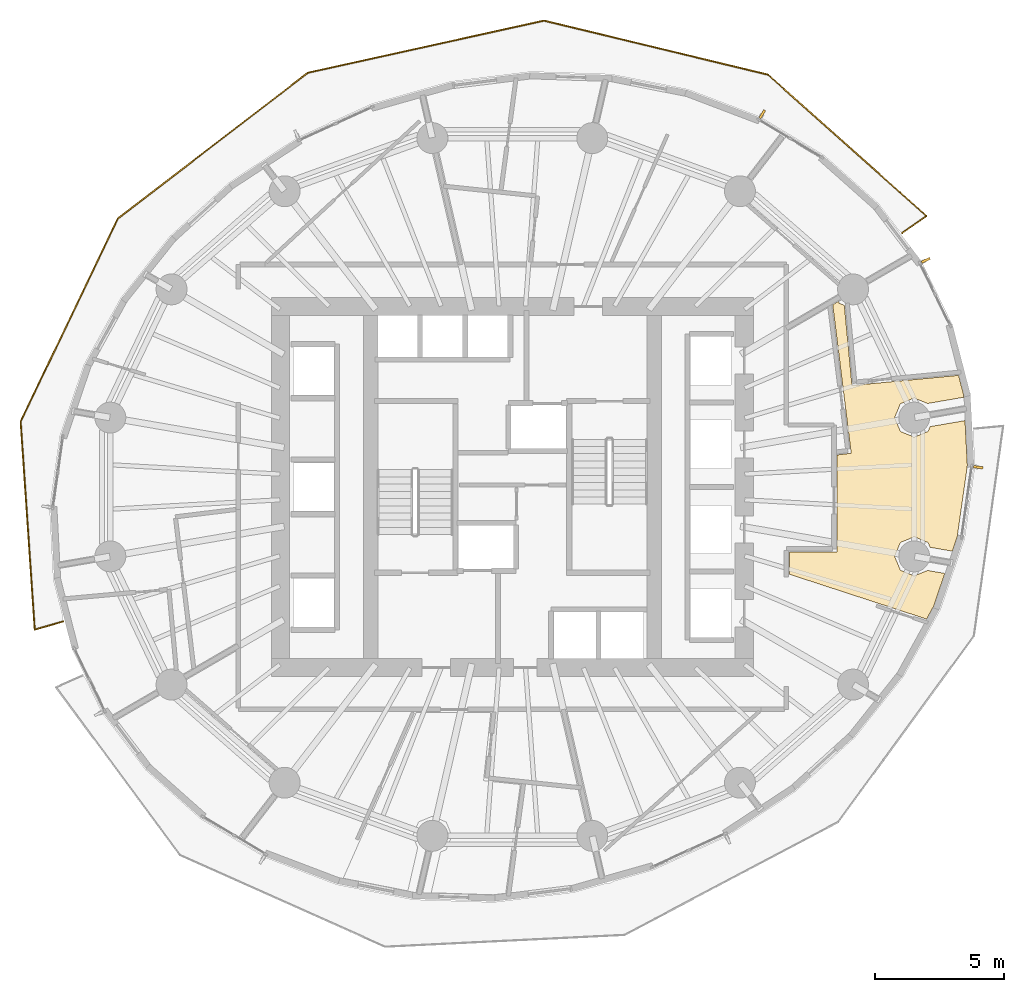
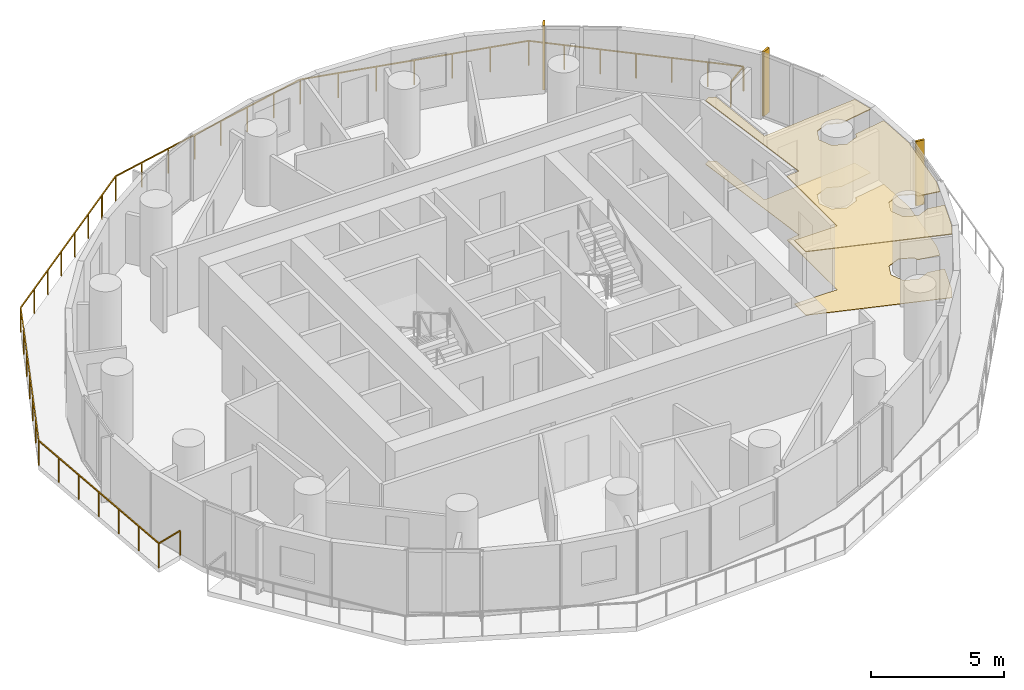
# One storey, part 14 of 14: 3 shading devices, 2 coverings, 1 railing.
"""IFC4 building model written with IfcOpenShell, lengths in metres."""

from ifc_helpers import new_model, si_unit, direction, frame, origin, origin_2d, place, context, subcontext, project, spatial, polyline, rectangle, outline, extrude, material, layer, layer_set, type_object, element, save


model = new_model("IFC4")

# Units and contexts
model_context = context("Model", 3, precision=1e-05, world=origin(), true_north=direction((0.0, 1.0)))
body_context = subcontext(model_context, "Body", "Model", "MODEL_VIEW")
ifc_project = project(units=[si_unit("LENGTHUNIT", "METRE"), si_unit("AREAUNIT", "SQUARE_METRE"), si_unit("VOLUMEUNIT", "CUBIC_METRE"), si_unit("PLANEANGLEUNIT", "RADIAN"), si_unit("MASSUNIT", "GRAM", prefix="KILO")], contexts=[model_context])

# Site, building, storey
site_placement = place(None, origin())
site = spatial("IfcSite", under=ifc_project, at=site_placement, CompositionType="ELEMENT")
building_placement = place(site_placement, origin())
building = spatial("IfcBuilding", under=site, at=building_placement, Name="Veldorim Arch Residences", CompositionType="ELEMENT")
storey_placement = place(building_placement, frame((0.0, 0.0, 83.679931640625)))
storey = spatial("IfcBuildingStorey", under=building, at=storey_placement, Name="L24", CompositionType="ELEMENT", Elevation=83.679931640625)

# Railing
ifc_material_1 = material(Name="Aluminium", Category="aluminium")
railing_type = type_object("IfcRailingType", Name="Balcony & Terrace Laminated Glass Balustrade 1150", PredefinedType="BALUSTRADE", material=ifc_material_1)
railing_placement = place(storey_placement, frame((47.1259765625, 33.854736328125, 0.0)))
element("IfcRailing", 1, at=railing_placement, inside=storey, type_object=railing_type, Name="L24 crescent balcony safety balustrade A", PredefinedType="BALUSTRADE", context=body_context, shape_type="SweptSolid", body=[
    extrude(rectangle(XDim=0.048095703125, YDim=0.048095703125, at=origin_2d()), frame((0.0, 0.0, 1.1259765625), z_axis=(0.819431336114, 0.573177359458, 0.0), x_axis=(-0.573177359458, 0.819431336114, 0.0)), (0.0, 0.0, 1.0), 1.150146484375),
    extrude(rectangle(XDim=0.048095703125, YDim=0.048095703125, at=origin_2d()), frame((0.9423828125, 0.6591796875, 1.1259765625), z_axis=(-0.746214671187, 0.665705388671, 0.0), x_axis=(-0.665705388671, -0.746214671187, 0.0)), (0.0, 0.0, 1.0), 8.2392578125),
    extrude(rectangle(XDim=0.048095703125, YDim=0.048095703125, at=origin_2d()), frame((-5.205810546875, 6.14404296875, 1.1259765625), z_axis=(-0.972111417995, 0.234519489601, 0.0), x_axis=(-0.234519489601, -0.972111417995, 0.0)), (0.0, 0.0, 1.0), 8.938232421875),
    extrude(rectangle(XDim=0.048095703125, YDim=0.048095703125, at=origin_2d()), frame((-13.894775390625, 8.240234375, 1.1259765625), z_axis=(-0.976478766181, -0.215613587694, 0.0), x_axis=(0.215613587694, -0.976478766181, 0.0)), (0.0, 0.0, 1.0), 9.384521484375),
    extrude(rectangle(XDim=0.048095703125, YDim=0.048095703125, at=origin_2d()), frame((-23.05859375, 6.216796875, 1.1259765625), z_axis=(-0.793334406414, -0.608786103323, 0.0), x_axis=(0.608786103323, -0.793334406414, 0.0)), (0.0, 0.0, 1.0), 9.29345703125),
    extrude(rectangle(XDim=0.048095703125, YDim=0.048095703125, at=origin_2d()), frame((-30.431396484375, 0.55908203125, 1.1259765625), z_axis=(-0.431794755909, -0.901971889124, 0.0), x_axis=(0.901971889124, -0.431794755909, 0.0)), (0.0, 0.0, 1.0), 8.7333984375),
    extrude(rectangle(XDim=0.048095703125, YDim=0.048095703125, at=origin_2d()), frame((-34.202392578125, -7.318115234375, 1.1259765625), z_axis=(0.067586357353, -0.997713427944, 0.0), x_axis=(0.997713427944, 0.067586357353, 0.0)), (0.0, 0.0, 1.0), 8.091552734375),
    extrude(rectangle(XDim=0.048095703125, YDim=0.048095703125, at=origin_2d()), frame((-33.655517578125, -15.39111328125, 1.1259765625), z_axis=(0.960613489845, 0.277887968664, 0.0), x_axis=(-0.277887968664, 0.960613489845, 0.0)), (0.0, 0.0, 1.0), 1.150146484375),
    extrude(rectangle(XDim=0.0419921875, YDim=0.0419921875, at=origin_2d()), origin(), (0.0, 0.0, 1.0), 1.101806640625),
    extrude(rectangle(XDim=0.0419921875, YDim=0.0419921875, at=origin_2d()), frame((0.9423828125, 0.6591796875, 0.0)), (0.0, 0.0, 1.0), 1.101806640625),
    extrude(rectangle(XDim=0.0419921875, YDim=0.0419921875, at=origin_2d()), frame((-0.082275390625, 1.5732421875, 0.0)), (0.0, 0.0, 1.0), 1.101806640625),
    extrude(rectangle(XDim=0.0419921875, YDim=0.0419921875, at=origin_2d()), frame((-1.10693359375, 2.487548828125, 0.0)), (0.0, 0.0, 1.0), 1.101806640625),
    extrude(rectangle(XDim=0.0419921875, YDim=0.0419921875, at=origin_2d()), frame((-2.1318359375, 3.401611328125, 0.0)), (0.0, 0.0, 1.0), 1.101806640625),
    extrude(rectangle(XDim=0.0419921875, YDim=0.0419921875, at=origin_2d()), frame((-3.156494140625, 4.315673828125, 0.0)), (0.0, 0.0, 1.0), 1.101806640625),
    extrude(rectangle(XDim=0.0419921875, YDim=0.0419921875, at=origin_2d()), frame((-4.18115234375, 5.22998046875, 0.0)), (0.0, 0.0, 1.0), 1.101806640625),
    extrude(rectangle(XDim=0.0419921875, YDim=0.0419921875, at=origin_2d()), frame((-5.205810546875, 6.14404296875, 0.0)), (0.0, 0.0, 1.0), 1.101806640625),
    extrude(rectangle(XDim=0.0419921875, YDim=0.0419921875, at=origin_2d()), frame((-6.654052734375, 6.493408203125, 0.0)), (0.0, 0.0, 1.0), 1.101806640625),
    extrude(rectangle(XDim=0.0419921875, YDim=0.0419921875, at=origin_2d()), frame((-8.10205078125, 6.8427734375, 0.0)), (0.0, 0.0, 1.0), 1.101806640625),
    extrude(rectangle(XDim=0.0419921875, YDim=0.0419921875, at=origin_2d()), frame((-9.55029296875, 7.192138671875, 0.0)), (0.0, 0.0, 1.0), 1.101806640625),
    extrude(rectangle(XDim=0.0419921875, YDim=0.0419921875, at=origin_2d()), frame((-10.99853515625, 7.54150390625, 0.0)), (0.0, 0.0, 1.0), 1.101806640625),
    extrude(rectangle(XDim=0.0419921875, YDim=0.0419921875, at=origin_2d()), frame((-12.446533203125, 7.890869140625, 0.0)), (0.0, 0.0, 1.0), 1.101806640625),
    extrude(rectangle(XDim=0.0419921875, YDim=0.0419921875, at=origin_2d()), frame((-13.894775390625, 8.240234375, 0.0)), (0.0, 0.0, 1.0), 1.101806640625),
    extrude(rectangle(XDim=0.0419921875, YDim=0.0419921875, at=origin_2d()), frame((-15.203857421875, 7.951171875, 0.0)), (0.0, 0.0, 1.0), 1.101806640625),
    extrude(rectangle(XDim=0.0419921875, YDim=0.0419921875, at=origin_2d()), frame((-16.512939453125, 7.662109375, 0.0)), (0.0, 0.0, 1.0), 1.101806640625),
    extrude(rectangle(XDim=0.0419921875, YDim=0.0419921875, at=origin_2d()), frame((-17.822021484375, 7.373046875, 0.0)), (0.0, 0.0, 1.0), 1.101806640625),
    extrude(rectangle(XDim=0.0419921875, YDim=0.0419921875, at=origin_2d()), frame((-19.13134765625, 7.083984375, 0.0)), (0.0, 0.0, 1.0), 1.101806640625),
    extrude(rectangle(XDim=0.0419921875, YDim=0.0419921875, at=origin_2d()), frame((-20.4404296875, 6.794921875, 0.0)), (0.0, 0.0, 1.0), 1.101806640625),
    extrude(rectangle(XDim=0.0419921875, YDim=0.0419921875, at=origin_2d()), frame((-21.74951171875, 6.505859375, 0.0)), (0.0, 0.0, 1.0), 1.101806640625),
    extrude(rectangle(XDim=0.0419921875, YDim=0.0419921875, at=origin_2d()), frame((-23.05859375, 6.216796875, 0.0)), (0.0, 0.0, 1.0), 1.101806640625),
    extrude(rectangle(XDim=0.0419921875, YDim=0.0419921875, at=origin_2d()), frame((-24.11181640625, 5.408447265625, 0.0)), (0.0, 0.0, 1.0), 1.101806640625),
    extrude(rectangle(XDim=0.0419921875, YDim=0.0419921875, at=origin_2d()), frame((-25.1650390625, 4.600341796875, 0.0)), (0.0, 0.0, 1.0), 1.101806640625),
    extrude(rectangle(XDim=0.0419921875, YDim=0.0419921875, at=origin_2d()), frame((-26.21826171875, 3.7919921875, 0.0)), (0.0, 0.0, 1.0), 1.101806640625),
    extrude(rectangle(XDim=0.0419921875, YDim=0.0419921875, at=origin_2d()), frame((-27.271728515625, 2.98388671875, 0.0)), (0.0, 0.0, 1.0), 1.101806640625),
    extrude(rectangle(XDim=0.0419921875, YDim=0.0419921875, at=origin_2d()), frame((-28.324951171875, 2.175537109375, 0.0)), (0.0, 0.0, 1.0), 1.101806640625),
    extrude(rectangle(XDim=0.0419921875, YDim=0.0419921875, at=origin_2d()), frame((-29.378173828125, 1.367431640625, 0.0)), (0.0, 0.0, 1.0), 1.101806640625),
    extrude(rectangle(XDim=0.0419921875, YDim=0.0419921875, at=origin_2d()), frame((-30.431396484375, 0.55908203125, 0.0)), (0.0, 0.0, 1.0), 1.101806640625),
    extrude(rectangle(XDim=0.0419921875, YDim=0.0419921875, at=origin_2d()), frame((-31.059814453125, -0.75390625, 0.0)), (0.0, 0.0, 1.0), 1.101806640625),
    extrude(rectangle(XDim=0.0419921875, YDim=0.0419921875, at=origin_2d()), frame((-31.6884765625, -2.066650390625, 0.0)), (0.0, 0.0, 1.0), 1.101806640625),
    extrude(rectangle(XDim=0.0419921875, YDim=0.0419921875, at=origin_2d()), frame((-32.31689453125, -3.37939453125, 0.0)), (0.0, 0.0, 1.0), 1.101806640625),
    extrude(rectangle(XDim=0.0419921875, YDim=0.0419921875, at=origin_2d()), frame((-32.9453125, -4.6923828125, 0.0)), (0.0, 0.0, 1.0), 1.101806640625),
    extrude(rectangle(XDim=0.0419921875, YDim=0.0419921875, at=origin_2d()), frame((-33.573974609375, -6.00537109375, 0.0)), (0.0, 0.0, 1.0), 1.101806640625),
    extrude(rectangle(XDim=0.0419921875, YDim=0.0419921875, at=origin_2d()), frame((-34.202392578125, -7.318115234375, 0.0)), (0.0, 0.0, 1.0), 1.101806640625),
    extrude(rectangle(XDim=0.0419921875, YDim=0.0419921875, at=origin_2d()), frame((-34.111328125, -8.66357421875, 0.0)), (0.0, 0.0, 1.0), 1.101806640625),
    extrude(rectangle(XDim=0.0419921875, YDim=0.0419921875, at=origin_2d()), frame((-34.02001953125, -10.009033203125, 0.0)), (0.0, 0.0, 1.0), 1.101806640625),
    extrude(rectangle(XDim=0.0419921875, YDim=0.0419921875, at=origin_2d()), frame((-33.928955078125, -11.3544921875, 0.0)), (0.0, 0.0, 1.0), 1.101806640625),
    extrude(rectangle(XDim=0.0419921875, YDim=0.0419921875, at=origin_2d()), frame((-33.837890625, -12.7001953125, 0.0)), (0.0, 0.0, 1.0), 1.101806640625),
    extrude(rectangle(XDim=0.0419921875, YDim=0.0419921875, at=origin_2d()), frame((-33.74658203125, -14.045654296875, 0.0)), (0.0, 0.0, 1.0), 1.101806640625),
    extrude(rectangle(XDim=0.0419921875, YDim=0.0419921875, at=origin_2d()), frame((-33.655517578125, -15.39111328125, 0.0)), (0.0, 0.0, 1.0), 1.101806640625),
    extrude(rectangle(XDim=0.0419921875, YDim=0.0419921875, at=origin_2d()), frame((-32.55078125, -15.071533203125, 0.0)), (0.0, 0.0, 1.0), 1.101806640625),
])

# Coverings
ifc_material_2 = material(Name="Acoustic Gypsum & Mineral Fibre", Category="gypsum")
ifc_layer_1 = layer(ifc_material_2, 0.034912109375, Name="Perforated Acoustic Mineral-Fibre Ceiling 35")
ifc_layer_set_1 = layer_set([ifc_layer_1], Name="Acoustic Gypsum & Mineral Fibre")
covering_type_1 = type_object("IfcCoveringType", Name="Perforated Acoustic Mineral-Fibre Ceiling 35", PredefinedType="CEILING", material=ifc_layer_set_1)
covering_1_placement = place(storey_placement, frame((0.0, 0.0, 2.905029296875)))
element("IfcCovering", 2, at=covering_1_placement, inside=storey, type_object=covering_type_1, Name="L24 acoustic suspended ceiling 02", PredefinedType="CEILING", context=body_context, shape_type="SweptSolid", body=[
    extrude(outline(polyline([(47.594482421875, 25.932373046875), (48.1318359375, 26.15478515625), (48.209228515625, 26.341796875), (49.564453125, 26.57568359375), (49.656005859375, 24.8330078125), (49.2646484375, 22.07666015625), (49.072265625, 21.50927734375), (48.209228515625, 21.658203125), (48.1318359375, 21.84521484375), (47.594482421875, 22.067626953125), (47.05712890625, 21.84521484375), (46.834716796875, 21.307861328125), (47.05712890625, 20.7705078125), (47.594482421875, 20.5478515625), (48.111083984375, 20.761962890625), (48.77978515625, 20.646484375), (48.34912109375, 19.37646484375), (48.07275390625, 18.875244140625), (42.75, 20.6142578125), (42.75, 21.47998046875), (44.60009765625, 21.47998046875), (44.60009765625, 25.239990234375), (45.151123046875, 25.308837890625), (44.431396484375, 31.070556640625), (44.654052734375, 31.19970703125), (44.68310546875, 31.129638671875), (44.884033203125, 31.04638671875), (45.17919921875, 27.9375), (49.3154296875, 28.330322265625), (49.5126953125, 27.562255859375), (49.51708984375, 27.480712890625), (48.111083984375, 27.238037109375), (47.594482421875, 27.4521484375), (47.05712890625, 27.2294921875), (46.834716796875, 26.692138671875), (47.05712890625, 26.15478515625), (47.594482421875, 25.932373046875)])), origin(), (0.0, 0.0, 1.0), 0.03515625),
])
ifc_material_3 = material(Name="Porcelain Ceramic Tile", Category="ceramic")
ifc_layer_2 = layer(ifc_material_3, 0.02001953125, Name="Slip-Resistant Porcelain & Vinyl Floor Finish 20")
ifc_layer_set_2 = layer_set([ifc_layer_2], Name="Porcelain Ceramic Tile")
covering_type_2 = type_object("IfcCoveringType", Name="Slip-Resistant Porcelain & Vinyl Floor Finish 20", PredefinedType="FLOORING", material=ifc_layer_set_2)
covering_2_placement = place(storey_placement, origin())
element("IfcCovering", 3, at=covering_2_placement, inside=storey, type_object=covering_type_2, Name="L24 porcelain floor finish 02", PredefinedType="FLOORING", context=body_context, shape_type="SweptSolid", body=[
    extrude(outline(polyline([(47.594482421875, 25.932373046875), (48.1318359375, 26.15478515625), (48.209228515625, 26.341796875), (49.564453125, 26.57568359375), (49.656005859375, 24.8330078125), (49.2646484375, 22.07666015625), (49.072265625, 21.50927734375), (48.209228515625, 21.658203125), (48.1318359375, 21.84521484375), (47.594482421875, 22.067626953125), (47.05712890625, 21.84521484375), (46.834716796875, 21.307861328125), (47.05712890625, 20.7705078125), (47.594482421875, 20.5478515625), (48.111083984375, 20.761962890625), (48.77978515625, 20.646484375), (48.34912109375, 19.37646484375), (48.07275390625, 18.875244140625), (42.75, 20.6142578125), (42.75, 21.47998046875), (44.60009765625, 21.47998046875), (44.60009765625, 25.239990234375), (45.151123046875, 25.308837890625), (44.431396484375, 31.070556640625), (44.654052734375, 31.19970703125), (44.68310546875, 31.129638671875), (44.884033203125, 31.04638671875), (45.17919921875, 27.9375), (49.3154296875, 28.330322265625), (49.5126953125, 27.562255859375), (49.51708984375, 27.480712890625), (48.111083984375, 27.238037109375), (47.594482421875, 27.4521484375), (47.05712890625, 27.2294921875), (46.834716796875, 26.692138671875), (47.05712890625, 26.15478515625), (47.594482421875, 25.932373046875)])), origin(), (0.0, 0.0, 1.0), 0.02001953125),
])

# Shading devices
ifc_material_4 = material(Name="Terracotta Ceramic", Category="masonry")
ifc_layer_3 = layer(ifc_material_4, 0.090087890625, Name="Vertical Extruded Terracotta Baguette Sun-Shading Fin")
ifc_layer_set_3 = layer_set([ifc_layer_3], Name="Terracotta Ceramic")
shading_device_type = type_object("IfcShadingDeviceType", Name="Vertical Extruded Terracotta Baguette Sun-Shading Fin", PredefinedType="USERDEFINED", material=ifc_layer_set_3)
for number, where, z_axis, x_axis, name in (
    (4, (48.044677734375, 32.796875, 0.0), (0.0, 0.0, 1.0), (0.437115766651, -0.899405251566, 0.0), "L24 vertical terracotta sun-shading fin 01"),
    (5, (41.70166015625, 38.4658203125, 0.0), (0.0, 0.0, 1.0), (0.857616429769, -0.514289859311, 0.0), "L24 vertical terracotta sun-shading fin 04"),
    (6, (50.078369140625, 24.765625, 0.0), (0.0, 0.0, 1.0), (-0.14055563991, -0.990072781208, 0.0), "L24 vertical terracotta sun-shading fin 34"),
):
    element("IfcShadingDevice", number, at=place(storey_placement, frame(where, z_axis=z_axis, x_axis=x_axis)), inside=storey, type_object=shading_device_type, Name=name, ObjectType="FIN", PredefinedType="USERDEFINED", context=body_context, shape_type="SweptSolid", body=[
        extrude(rectangle(XDim=0.090087890625, YDim=0.360107421875, at=origin_2d()), origin(), (0.0, 0.0, 1.0), 2.9599609375),
    ])

save(model, "model.ifc")
